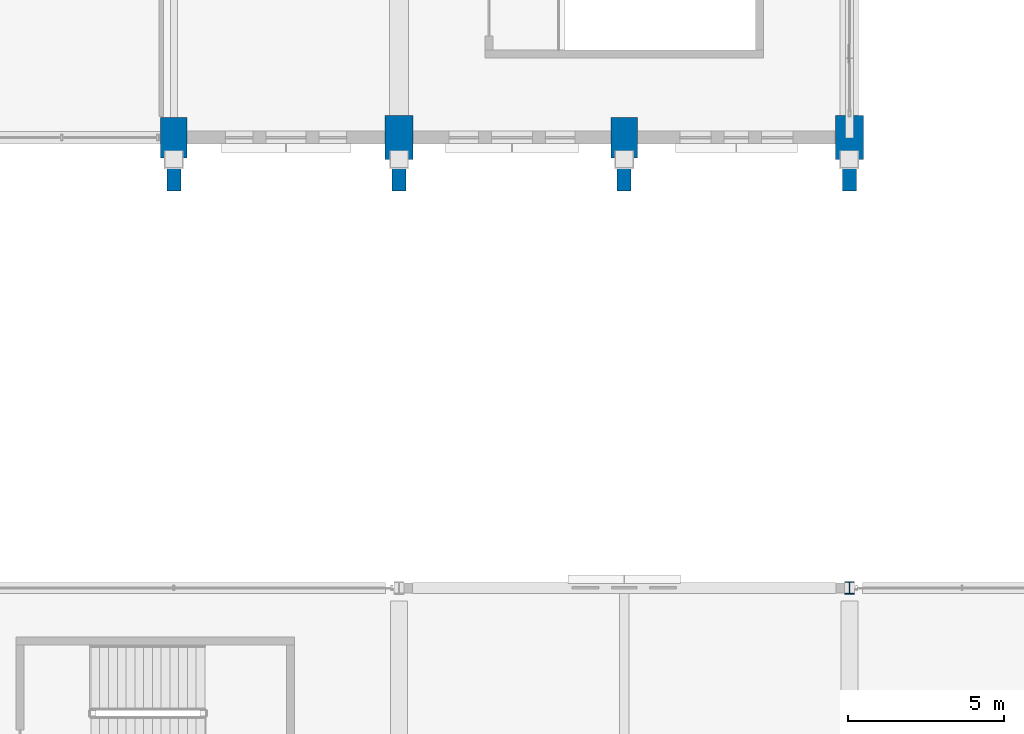
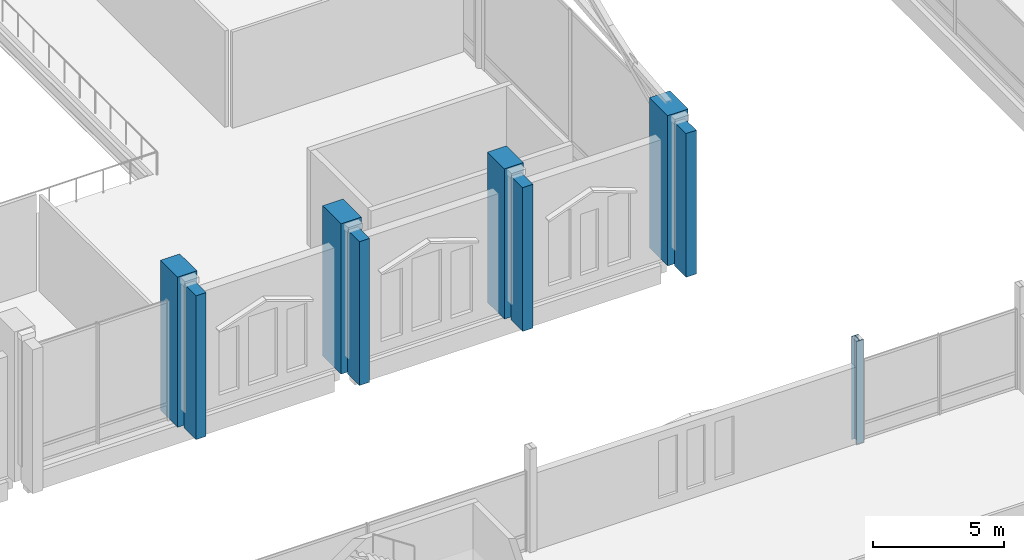
# One storey, part 8 of 220: 9 columns.
"""IFC4 building model written with IfcOpenShell, lengths in metres."""

from ifc_helpers import new_model, si_unit, direction, frame, origin, origin_2d, place, context, subcontext, project, spatial, rectangle, i_section, extrude, material, material_profile, profile_set, type_object, element, save


model = new_model("IFC4")

# Units and contexts
model_context = context("Model", 3, precision=1e-05, world=origin(), true_north=direction((0.0, 1.0)))
body_context = subcontext(model_context, "Body", "Model", "MODEL_VIEW")
ifc_project = project(units=[si_unit("LENGTHUNIT", "METRE"), si_unit("AREAUNIT", "SQUARE_METRE"), si_unit("VOLUMEUNIT", "CUBIC_METRE"), si_unit("PLANEANGLEUNIT", "RADIAN"), si_unit("MASSUNIT", "GRAM", prefix="KILO")], contexts=[model_context])

# Site, building, storey
site_placement = place(None, origin())
site = spatial("IfcSite", under=ifc_project, at=site_placement, CompositionType="ELEMENT")
building_placement = place(site_placement, origin())
building = spatial("IfcBuilding", under=site, at=building_placement, Name="Cendralis Lancet Convention Centre", CompositionType="ELEMENT")
storey_placement = place(building_placement, frame((0.0, 0.0, 5.39990234375)))
storey = spatial("IfcBuildingStorey", under=building, at=storey_placement, Name="L01", CompositionType="ELEMENT", Elevation=5.39990234375)

# Columns
ifc_material_1 = material(Name="Concrete G40 (C40/50)", Category="concrete")
ifc_material_profile_1 = material_profile(ifc_material_1, rectangle(XDim=0.89990234375, YDim=1.39990234375, at=origin_2d()), Name="RC 900x1400")
ifc_profile_set_1 = profile_set([ifc_material_profile_1], Name="Concrete G40 (C40/50)")
column_type_1 = type_object("IfcColumnType", Name="STR-COL-C13", PredefinedType="COLUMN", material=ifc_profile_set_1)
for number, where, z_axis, x_axis, name in (
    (1, (108.0, 50.39990234375, 0.0), (0.0, 0.0, 1.0), (1.0, 0.0, 0.0), "L01 Column C13 at 108.0,50.4"),
    (2, (122.39990234375, 50.39990234375, 0.0), (0.0, 0.0, 1.0), (1.0, 0.0, 0.0), "L01 Column C13 at 122.4,50.4"),
):
    element("IfcColumn", number, at=place(storey_placement, frame(where, z_axis=z_axis, x_axis=x_axis)), inside=storey, type_object=column_type_1, Name=name, PredefinedType="COLUMN", context=body_context, shape_type="SweptSolid", body=[
        extrude(rectangle(XDim=0.89990234375, YDim=1.39990234375, at=origin_2d()), origin(), (0.0, 0.0, 1.0), 7.0),
    ])
ifc_material_profile_2 = material_profile(ifc_material_1, rectangle(XDim=0.85009765625, YDim=1.300048828125, at=origin_2d()), Name="RC 850x1300")
ifc_profile_set_2 = profile_set([ifc_material_profile_2], Name="Concrete G40 (C40/50)")
column_type_2 = type_object("IfcColumnType", Name="STR-COL-C14", PredefinedType="COLUMN", material=ifc_profile_set_2)
for number, where, z_axis, x_axis, name in (
    (3, (100.800048828125, 50.39990234375, 0.0), (0.0, 0.0, 1.0), (1.0, 0.0, 0.0), "L01 Column C14 at 100.8,50.4"),
    (4, (115.199951171875, 50.39990234375, 0.0), (0.0, 0.0, 1.0), (1.0, 0.0, 0.0), "L01 Column C14 at 115.2,50.4"),
):
    element("IfcColumn", number, at=place(storey_placement, frame(where, z_axis=z_axis, x_axis=x_axis)), inside=storey, type_object=column_type_2, Name=name, PredefinedType="COLUMN", context=body_context, shape_type="SweptSolid", body=[
        extrude(rectangle(XDim=0.85009765625, YDim=1.300048828125, at=origin_2d()), origin(), (0.0, 0.0, 1.0), 7.0),
    ])
ifc_material_2 = material(Name="Steel S355", Category="steel")
ifc_material_profile_3 = material_profile(ifc_material_2, i_section(OverallWidth=0.300048828125, OverallDepth=0.39990234375, WebThickness=0.013427734375, FlangeThickness=0.02392578125, FilletRadius=0.027099609375, at=origin_2d()), Name="HEB 400")
ifc_profile_set_3 = profile_set([ifc_material_profile_3], Name="Steel S355")
column_type_3 = type_object("IfcColumnType", Name="STR-COL-C25", PredefinedType="COLUMN", material=ifc_profile_set_3)
column_placement = place(storey_placement, frame((122.39990234375, 36.0, 0.0), z_axis=(0.0, 0.0, 1.0), x_axis=(1.0, 0.0, 0.0)))
element("IfcColumn", 5, at=column_placement, inside=storey, type_object=column_type_3, Name="L01 Column C25 at 122.4,36.0", PredefinedType="COLUMN", context=body_context, shape_type="SweptSolid", body=[
    extrude(i_section(OverallWidth=0.300048828125, OverallDepth=0.39990234375, WebThickness=0.013427734375, FlangeThickness=0.02392578125, FilletRadius=0.027099609375, at=origin_2d()), origin(), (0.0, 0.0, 1.0), 4.800048828125),
])
ifc_material_profile_4 = material_profile(ifc_material_1, rectangle(XDim=0.449951171875, YDim=0.89990234375, at=origin_2d()), Name="RC 450x900")
ifc_profile_set_4 = profile_set([ifc_material_profile_4], Name="Concrete G40 (C40/50)")
column_type_4 = type_object("IfcColumnType", Name="STR-PIL-PL02", PredefinedType="PILASTER", material=ifc_profile_set_4)
for number, where, z_axis, x_axis, name in (
    (6, (100.800048828125, 49.139892578125, 0.0), (0.0, 0.0, 1.0), (1.0, 0.0, 0.0), "L01 Column PL02 at 100.8,49.1"),
    (7, (108.0, 49.139892578125, 0.0), (0.0, 0.0, 1.0), (1.0, 0.0, 0.0), "L01 Column PL02 at 108.0,49.1"),
    (8, (115.199951171875, 49.139892578125, 0.0), (0.0, 0.0, 1.0), (1.0, 0.0, 0.0), "L01 Column PL02 at 115.2,49.1"),
    (9, (122.39990234375, 49.139892578125, 0.0), (0.0, 0.0, 1.0), (1.0, 0.0, 0.0), "L01 Column PL02 at 122.4,49.1"),
):
    element("IfcColumn", number, at=place(storey_placement, frame(where, z_axis=z_axis, x_axis=x_axis)), inside=storey, type_object=column_type_4, Name=name, PredefinedType="PILASTER", context=body_context, shape_type="SweptSolid", body=[
        extrude(rectangle(XDim=0.449951171875, YDim=0.89990234375, at=origin_2d()), origin(), (0.0, 0.0, 1.0), 6.7001953125),
    ])

save(model, "model.ifc")
